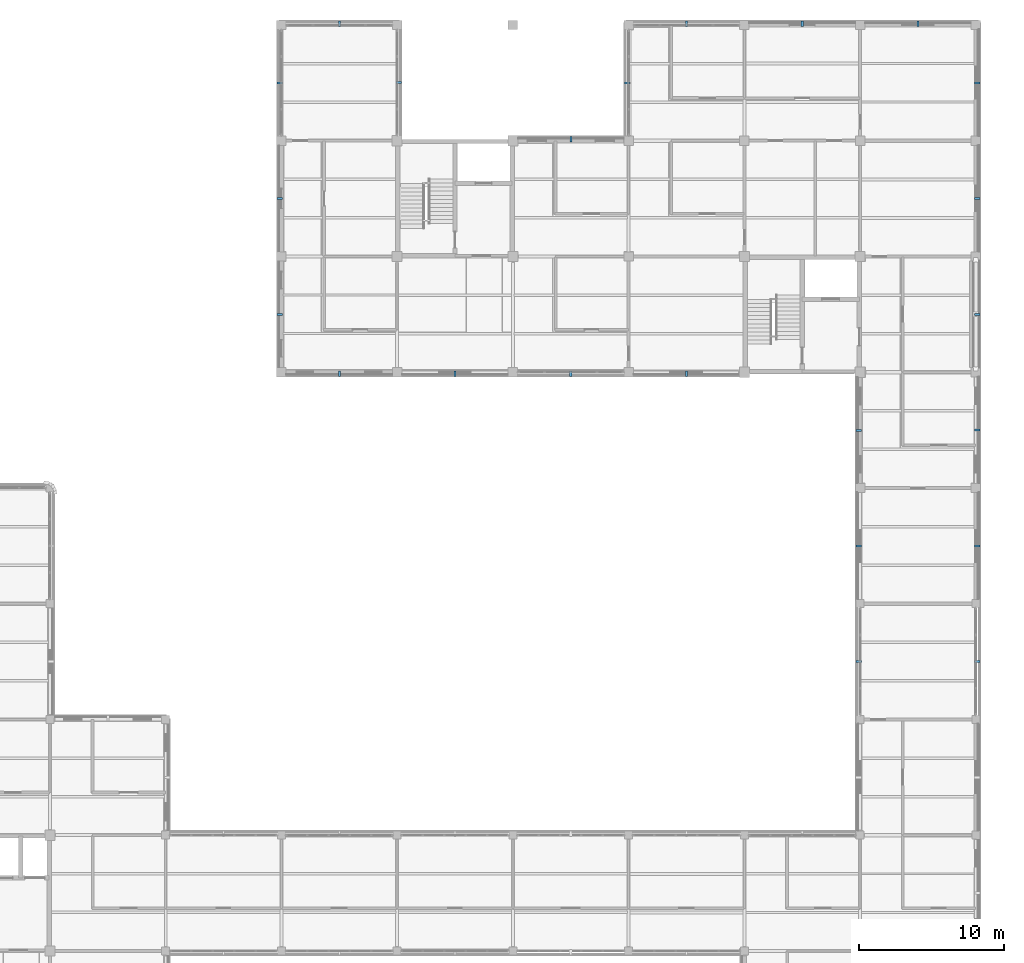
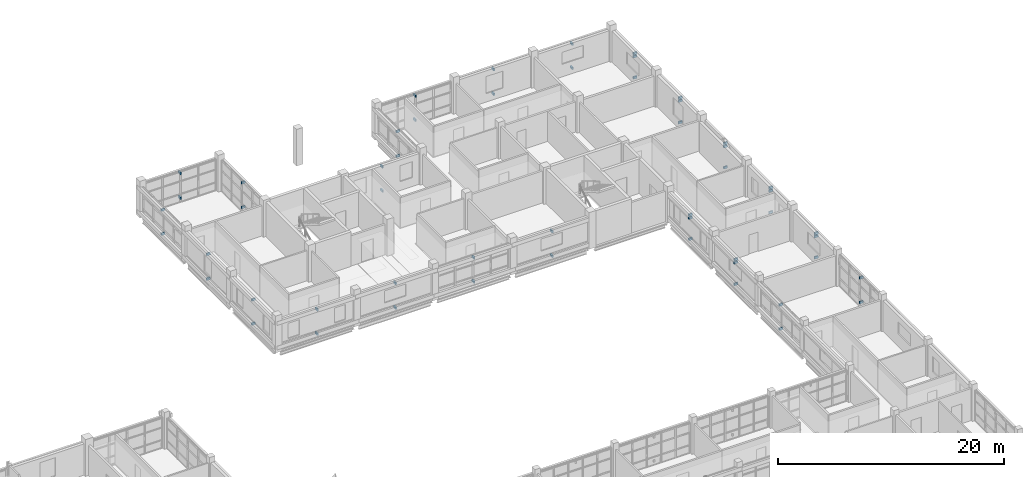
# One storey, part 95 of 107: 53 discrete accessories.
"""IFC4 building model written with IfcOpenShell, lengths in metres."""

from ifc_helpers import new_model, si_unit, derived_unit, direction, frame, origin, origin_2d, place, context, subcontext, project, spatial, rectangle, extrude, material, type_object, element, save


model = new_model("IFC4")

# Units and contexts
model_context = context("Model", 3, precision=1e-05, world=origin(), true_north=direction((0.0, 1.0)))
body_context = subcontext(model_context, "Body", "Model", "MODEL_VIEW")
ifc_project = project(units=[si_unit("LENGTHUNIT", "METRE"), si_unit("AREAUNIT", "SQUARE_METRE"), si_unit("VOLUMEUNIT", "CUBIC_METRE"), si_unit("PLANEANGLEUNIT", "RADIAN"), si_unit("MASSUNIT", "GRAM", prefix="KILO"), derived_unit("THERMALTRANSMITTANCEUNIT", [(si_unit("MASSUNIT", "GRAM", prefix="KILO"), 1), (si_unit("TIMEUNIT", "SECOND"), -3), (si_unit("THERMODYNAMICTEMPERATUREUNIT", "KELVIN"), -1)])], contexts=[model_context])

# Site, building, storey
site_placement = place(None, origin())
site = spatial("IfcSite", under=ifc_project, at=site_placement, CompositionType="ELEMENT")
building_placement = place(site_placement, origin())
building = spatial("IfcBuilding", under=site, at=building_placement, Name="Veyamyaing Civic Hall", CompositionType="ELEMENT")
storey_placement = place(building_placement, frame((0.0, 0.0, 13.860107421875)))
storey = spatial("IfcBuildingStorey", under=building, at=storey_placement, Name="L03", CompositionType="ELEMENT", Elevation=13.860107421875)

# Discrete accessories
ifc_material = material(Name="Steel S355J2", Category="steel")
discrete_accessory_type = type_object("IfcDiscreteAccessoryType", Name="BK-01", PredefinedType="BRACKET", material=ifc_material)
for number, where, z_axis, x_axis, name in (
    (1, (132.0, 87.89990234375, 2.9638671875), (0.0, 0.0, 1.0), (0.0, -1.0, 0.0), "Sunshade anchor bracket BK-01 L03 S 17.12"),
    (2, (132.0, 87.89990234375, 0.35986328125), (0.0, 0.0, 1.0), (0.0, -1.0, 0.0), "Lower ribbon anchor bracket BK-01 L03 S 17.12"),
    (3, (127.89990234375, 92.0, 2.9638671875), (0.0, 0.0, 1.0), (-1.0, 0.0, 0.0), "Sunshade anchor bracket BK-01 L03 W 17.12"),
    (4, (127.89990234375, 92.0, 0.35986328125), (0.0, 0.0, 1.0), (-1.0, 0.0, 0.0), "Lower ribbon anchor bracket BK-01 L03 W 17.12"),
    (5, (127.89990234375, 100.0, 3.02685546875), (0.0, 0.0, 1.0), (-1.0, 0.0, 0.0), "Sunshade anchor bracket BK-01 L03 W 17.13"),
    (6, (127.89990234375, 100.0, 0.35986328125), (0.0, 0.0, 1.0), (-1.0, 0.0, 0.0), "Lower ribbon anchor bracket BK-01 L03 W 17.13"),
    (7, (132.0, 112.10009765625, 3.02392578125), (0.0, 0.0, 1.0), (0.0, 1.0, 0.0), "Sunshade anchor bracket BK-01 L03 N 17.14"),
    (8, (132.0, 112.10009765625, 0.35986328125), (0.0, 0.0, 1.0), (0.0, 1.0, 0.0), "Lower ribbon anchor bracket BK-01 L03 N 17.14"),
    (9, (127.89990234375, 108.0, 2.9599609375), (0.0, 0.0, 1.0), (-1.0, 0.0, 0.0), "Sunshade anchor bracket BK-01 L03 W 17.14"),
    (10, (127.89990234375, 108.0, 0.35986328125), (0.0, 0.0, 1.0), (-1.0, 0.0, 0.0), "Lower ribbon anchor bracket BK-01 L03 W 17.14"),
    (11, (136.10009765625, 108.012451171875, 3.02392578125), (0.0, 0.0, 1.0), (1.0, 0.0, 0.0), "Sunshade anchor bracket BK-01 L03 E 17.14"),
    (12, (136.10009765625, 108.012451171875, 0.35986328125), (0.0, 0.0, 1.0), (1.0, 0.0, 0.0), "Lower ribbon anchor bracket BK-01 L03 E 17.14"),
    (13, (140.0, 87.89990234375, 3.02685546875), (0.0, 0.0, 1.0), (0.0, -1.0, 0.0), "Sunshade anchor bracket BK-01 L03 S 18.12"),
    (14, (140.0, 87.89990234375, 0.35986328125), (0.0, 0.0, 1.0), (0.0, -1.0, 0.0), "Lower ribbon anchor bracket BK-01 L03 S 18.12"),
    (15, (148.0, 87.89990234375, 2.9599609375), (0.0, 0.0, 1.0), (0.0, -1.0, 0.0), "Sunshade anchor bracket BK-01 L03 S 19.12"),
    (16, (148.0, 87.89990234375, 0.35986328125), (0.0, 0.0, 1.0), (0.0, -1.0, 0.0), "Lower ribbon anchor bracket BK-01 L03 S 19.12"),
    (17, (148.012451171875, 104.10009765625, 2.9638671875), (0.0, 0.0, 1.0), (0.0, 1.0, 0.0), "Sunshade anchor bracket BK-01 L03 N 19.13"),
    (18, (148.012451171875, 104.10009765625, 0.35986328125), (0.0, 0.0, 1.0), (0.0, 1.0, 0.0), "Lower ribbon anchor bracket BK-01 L03 N 19.13"),
    (19, (155.987548828125, 87.89990234375, 3.02392578125), (0.0, 0.0, 1.0), (0.0, -1.0, 0.0), "Sunshade anchor bracket BK-01 L03 S 20.12"),
    (20, (155.987548828125, 87.89990234375, 0.35986328125), (0.0, 0.0, 1.0), (0.0, -1.0, 0.0), "Lower ribbon anchor bracket BK-01 L03 S 20.12"),
    (21, (156.0, 112.10009765625, 2.9599609375), (0.0, 0.0, 1.0), (0.0, 1.0, 0.0), "Sunshade anchor bracket BK-01 L03 N 20.14"),
    (22, (156.0, 112.10009765625, 0.35986328125), (0.0, 0.0, 1.0), (0.0, 1.0, 0.0), "Lower ribbon anchor bracket BK-01 L03 N 20.14"),
    (23, (151.89990234375, 108.0, 3.02685546875), (0.0, 0.0, 1.0), (-1.0, 0.0, 0.0), "Sunshade anchor bracket BK-01 L03 W 20.14"),
    (24, (151.89990234375, 108.0, 0.35986328125), (0.0, 0.0, 1.0), (-1.0, 0.0, 0.0), "Lower ribbon anchor bracket BK-01 L03 W 20.14"),
    (25, (164.0, 112.10009765625, 3.02392578125), (0.0, 0.0, 1.0), (0.0, 1.0, 0.0), "Sunshade anchor bracket BK-01 L03 N 21.14"),
    (26, (164.0, 112.10009765625, 0.35986328125), (0.0, 0.0, 1.0), (0.0, 1.0, 0.0), "Lower ribbon anchor bracket BK-01 L03 N 21.14"),
    (27, (167.89990234375, 68.0, 2.9599609375), (0.0, 0.0, 1.0), (-1.0, 0.0, 0.0), "Sunshade anchor bracket BK-01 L03 W 22.9"),
    (28, (167.89990234375, 68.0, 0.35986328125), (0.0, 0.0, 1.0), (-1.0, 0.0, 0.0), "Lower ribbon anchor bracket BK-01 L03 W 22.9"),
    (29, (176.10009765625, 68.0, 3.02392578125), (0.0, 0.0, 1.0), (1.0, 0.0, 0.0), "Sunshade anchor bracket BK-01 L03 E 22.9"),
    (30, (176.10009765625, 68.0, 0.35986328125), (0.0, 0.0, 1.0), (1.0, 0.0, 0.0), "Lower ribbon anchor bracket BK-01 L03 E 22.9"),
    (31, (167.89990234375, 75.97509765625, 3.02392578125), (0.0, 0.0, 1.0), (-1.0, 0.0, 0.0), "Sunshade anchor bracket BK-01 L03 W 22.10"),
    (32, (167.89990234375, 75.97509765625, 0.35986328125), (0.0, 0.0, 1.0), (-1.0, 0.0, 0.0), "Lower ribbon anchor bracket BK-01 L03 W 22.10"),
    (33, (167.89990234375, 75.97509765625, 2.69384765625), (0.0, 0.0, 1.0), (-1.0, 0.0, 0.0), "Louvre anchor bracket BK-01 L03 W 22.10"),
    (34, (176.10009765625, 75.97509765625, 2.9638671875), (0.0, 0.0, 1.0), (1.0, 0.0, 0.0), "Sunshade anchor bracket BK-01 L03 E 22.10"),
    (35, (176.10009765625, 75.97509765625, 0.35986328125), (0.0, 0.0, 1.0), (1.0, 0.0, 0.0), "Lower ribbon anchor bracket BK-01 L03 E 22.10"),
    (36, (176.10009765625, 75.97509765625, 2.6337890625), (0.0, 0.0, 1.0), (1.0, 0.0, 0.0), "Louvre anchor bracket BK-01 L03 E 22.10"),
    (37, (167.89990234375, 83.987548828125, 2.9638671875), (0.0, 0.0, 1.0), (-1.0, 0.0, 0.0), "Sunshade anchor bracket BK-01 L03 W 22.11"),
    (38, (167.89990234375, 83.987548828125, 0.35986328125), (0.0, 0.0, 1.0), (-1.0, 0.0, 0.0), "Lower ribbon anchor bracket BK-01 L03 W 22.11"),
    (39, (167.89990234375, 83.987548828125, 2.6337890625), (0.0, 0.0, 1.0), (-1.0, 0.0, 0.0), "Louvre anchor bracket BK-01 L03 W 22.11"),
    (40, (176.10009765625, 84.0, 3.02685546875), (0.0, 0.0, 1.0), (1.0, 0.0, 0.0), "Sunshade anchor bracket BK-01 L03 E 22.11"),
    (41, (176.10009765625, 84.0, 0.35986328125), (0.0, 0.0, 1.0), (1.0, 0.0, 0.0), "Lower ribbon anchor bracket BK-01 L03 E 22.11"),
    (42, (176.10009765625, 84.0, 2.69677734375), (0.0, 0.0, 1.0), (1.0, 0.0, 0.0), "Louvre anchor bracket BK-01 L03 E 22.11"),
    (43, (176.10009765625, 92.0, 2.9599609375), (0.0, 0.0, 1.0), (1.0, 0.0, 0.0), "Sunshade anchor bracket BK-01 L03 E 22.12"),
    (44, (176.10009765625, 92.0, 0.35986328125), (0.0, 0.0, 1.0), (1.0, 0.0, 0.0), "Lower ribbon anchor bracket BK-01 L03 E 22.12"),
    (45, (176.10009765625, 92.0, 2.6298828125), (0.0, 0.0, 1.0), (1.0, 0.0, 0.0), "Louvre anchor bracket BK-01 L03 E 22.12"),
    (46, (176.10009765625, 100.0, 3.02392578125), (0.0, 0.0, 1.0), (1.0, 0.0, 0.0), "Sunshade anchor bracket BK-01 L03 E 22.13"),
    (47, (176.10009765625, 100.0, 0.35986328125), (0.0, 0.0, 1.0), (1.0, 0.0, 0.0), "Lower ribbon anchor bracket BK-01 L03 E 22.13"),
    (48, (176.10009765625, 100.0, 2.69384765625), (0.0, 0.0, 1.0), (1.0, 0.0, 0.0), "Louvre anchor bracket BK-01 L03 E 22.13"),
    (49, (172.0, 112.10009765625, 2.9638671875), (0.0, 0.0, 1.0), (0.0, 1.0, 0.0), "Sunshade anchor bracket BK-01 L03 N 22.14"),
    (50, (172.0, 112.10009765625, 0.35986328125), (0.0, 0.0, 1.0), (0.0, 1.0, 0.0), "Lower ribbon anchor bracket BK-01 L03 N 22.14"),
    (51, (176.10009765625, 108.0, 2.9638671875), (0.0, 0.0, 1.0), (1.0, 0.0, 0.0), "Sunshade anchor bracket BK-01 L03 E 22.14"),
    (52, (176.10009765625, 108.0, 0.35986328125), (0.0, 0.0, 1.0), (1.0, 0.0, 0.0), "Lower ribbon anchor bracket BK-01 L03 E 22.14"),
    (53, (176.10009765625, 108.0, 2.6337890625), (0.0, 0.0, 1.0), (1.0, 0.0, 0.0), "Louvre anchor bracket BK-01 L03 E 22.14"),
):
    element("IfcDiscreteAccessory", number, at=place(storey_placement, frame(where, z_axis=z_axis, x_axis=x_axis)), inside=storey, type_object=discrete_accessory_type, Name=name, PredefinedType="BRACKET", context=body_context, shape_type="SweptSolid", body=[
        extrude(rectangle(XDim=0.3798828125, YDim=0.139892578125, at=origin_2d()), origin(), (0.0, 0.0, 1.0), 0.239990234375),
    ])

save(model, "model.ifc")
